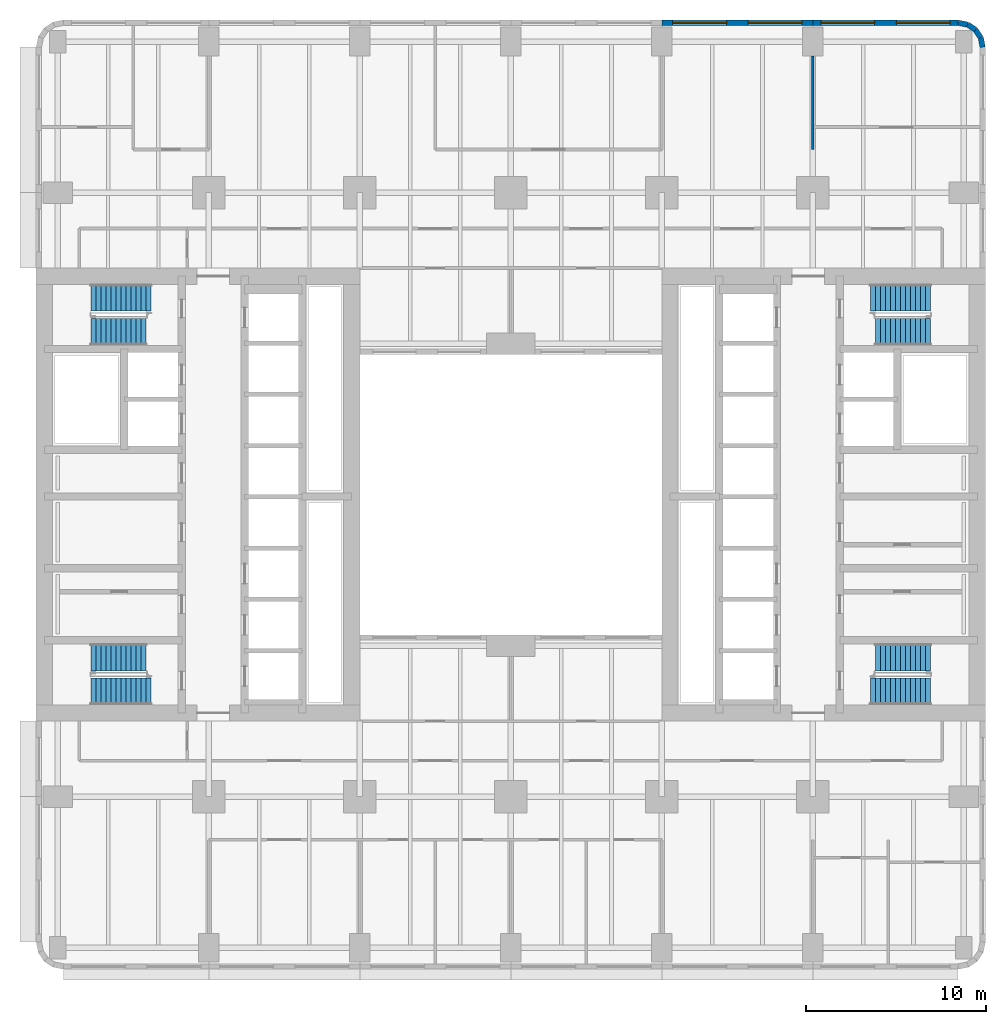
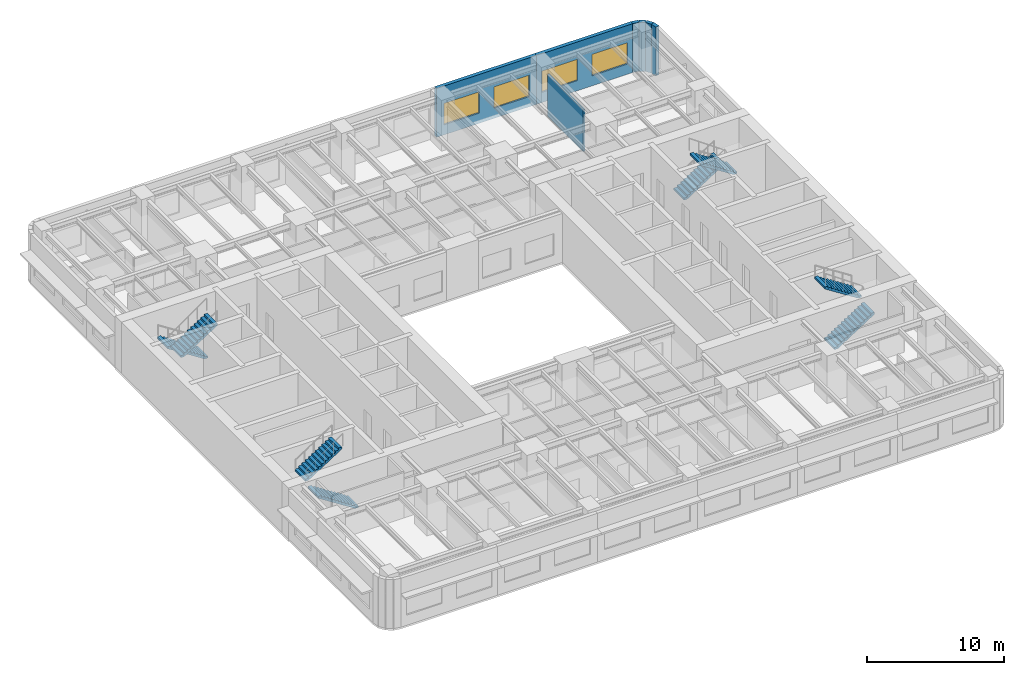
# One storey, part 8 of 14: 8 stair flights, 7 walls, 4 windows, 4 openings, 4 elements without a shape of their own.
"""IFC4 building model written with IfcOpenShell, lengths in metres."""

from ifc_helpers import new_model, si_unit, direction, frame, frame_2d, origin, place, context, subcontext, project, spatial, polyline, rectangle, outline, extrude, material, layer, layer_set, type_object, element, fill, aggregate, save


model = new_model("IFC4")

# Units and contexts
model_context = context("Model", 3, precision=1e-05, world=origin(), true_north=direction((0.0, 1.0)))
body_context = subcontext(model_context, "Body", "Model", "MODEL_VIEW")
ifc_project = project(units=[si_unit("LENGTHUNIT", "METRE"), si_unit("AREAUNIT", "SQUARE_METRE"), si_unit("VOLUMEUNIT", "CUBIC_METRE"), si_unit("PLANEANGLEUNIT", "RADIAN"), si_unit("MASSUNIT", "GRAM", prefix="KILO")], contexts=[model_context])

# Site, building, storey
site_placement = place(None, origin())
site = spatial("IfcSite", under=ifc_project, at=site_placement, CompositionType="ELEMENT")
building_placement = place(site_placement, origin())
building = spatial("IfcBuilding", under=site, at=building_placement, Name="Claustro Exchange Tower", CompositionType="ELEMENT")
storey_placement = place(building_placement, frame((0.0, 0.0, 54.89990234375)))
storey = spatial("IfcBuildingStorey", under=building, at=storey_placement, Name="L12", CompositionType="ELEMENT", Elevation=54.89990234375)

# Wall
ifc_material_1 = material(Name="Gypsum board on steel studs", Category="steel")
ifc_layer_1 = layer(ifc_material_1, 0.14990234375)
ifc_layer_set_1 = layer_set([ifc_layer_1], Name="Gypsum board on steel studs")
wall_type_1 = type_object("IfcWallType", Name="P1 150 plasterboard partition", PredefinedType="PARTITIONING", material=ifc_layer_set_1)
wall_1_placement = place(storey_placement, frame((42.0, 44.39990234375, 0.0), z_axis=(0.0, 0.0, 1.0), x_axis=(0.0, 1.0, 0.0)))
element("IfcWall", 1, at=wall_1_placement, inside=storey, type_object=wall_type_1, Name="Partition P1 L12", PredefinedType="PARTITIONING", context=body_context, shape_type="SweptSolid", body=[
    extrude(rectangle(XDim=5.201171875, YDim=0.14990234375, at=frame_2d((2.6005859375, 0.0))), origin(), (0.0, 0.0, 1.0), 3.739990234375),
])

# Wall, openings, windows
ifc_material_2 = material(Name="Concrete HA-40 (C40/50), precast, white cement, acid-etched", Category="concrete")
ifc_layer_2 = layer(ifc_material_2, 0.300048828125)
ifc_layer_set_2 = layer_set([ifc_layer_2], Name="Concrete HA-40 (C40/50), precast, white cement, acid-etched")
wall_type_2 = type_object("IfcWallType", Name="PC1 300 precast concrete pier panel", PredefinedType="SOLIDWALL", material=ifc_layer_set_2)
wall_2_placement = place(storey_placement, frame((33.60009765625, 51.449951171875, 0.0), z_axis=(0.0, 0.0, 1.0), x_axis=(1.0, 0.0, 0.0)))
wall_2 = element("IfcWall", 2, at=wall_2_placement, inside=storey, type_object=wall_type_2, Name="Precast pier panel PC1 L12", PredefinedType="SOLIDWALL", context=body_context, shape_type="SweptSolid", body=[
    extrude(rectangle(XDim=8.39990234375, YDim=0.300048828125, at=frame_2d((4.199951171875, 0.0))), origin(), (0.0, 0.0, 1.0), 4.340087890625),
])
opening_1_placement = place(wall_2_placement, frame((0.60009765625, 0.0, 0.89990234375)))
opening_1 = element("IfcOpeningElement", 3, at=opening_1_placement, cuts=wall_2, Name="Opening W1", PredefinedType="OPENING", context=body_context, shape_type="SweptSolid", body=[
    extrude(rectangle(XDim=3.0, YDim=1.89990234375, at=frame_2d((1.5, 0.949951171875))), frame((0.0, 0.159912109375, 0.0), z_axis=(0.0, -1.0, 0.0), x_axis=(1.0, 0.0, 0.0)), (0.0, 0.0, 1.0), 0.320068359375),
])
opening_2_placement = place(wall_2_placement, frame((4.800048828125, 0.0, 0.89990234375)))
opening_2 = element("IfcOpeningElement", 4, at=opening_2_placement, cuts=wall_2, Name="Opening W1", PredefinedType="OPENING", context=body_context, shape_type="SweptSolid", body=[
    extrude(rectangle(XDim=3.0, YDim=1.89990234375, at=frame_2d((1.5, 0.949951171875))), frame((0.0, 0.159912109375, 0.0), z_axis=(0.0, -1.0, 0.0), x_axis=(1.0, 0.0, 0.0)), (0.0, 0.0, 1.0), 0.320068359375),
])
ifc_material_3 = material(Name="Aluminium frame, clear double glazing", Category="aluminium")
window_type = type_object("IfcWindowType", Name="W1 3000 x 1900 window", PartitioningType="SINGLE_PANEL", PredefinedType="WINDOW", material=ifc_material_3)
window_1_placement = place(opening_1_placement, origin())
window_1 = element("IfcWindow", 5, at=window_1_placement, inside=storey, type_object=window_type, Name="Window W1 L12", OverallHeight=1.89990234375, OverallWidth=3.0, PartitioningType="SINGLE_PANEL", PredefinedType="WINDOW", context=body_context, shape_type="SweptSolid", body=[
    extrude(rectangle(XDim=3.0, YDim=1.89990234375, at=frame_2d((1.5, 0.949951171875))), frame((0.0, 0.030029296875, 0.0), z_axis=(0.0, -1.0, 0.0), x_axis=(1.0, 0.0, 0.0)), (0.0, 0.0, 1.0), 0.06005859375),
])
fill(opening_1, window_1)
window_2_placement = place(opening_2_placement, origin())
window_2 = element("IfcWindow", 6, at=window_2_placement, inside=storey, type_object=window_type, Name="Window W1 L12", OverallHeight=1.89990234375, OverallWidth=3.0, PartitioningType="SINGLE_PANEL", PredefinedType="WINDOW", context=body_context, shape_type="SweptSolid", body=[
    extrude(rectangle(XDim=3.0, YDim=1.89990234375, at=frame_2d((1.5, 0.949951171875))), frame((0.0, 0.030029296875, 0.0), z_axis=(0.0, -1.0, 0.0), x_axis=(1.0, 0.0, 0.0)), (0.0, 0.0, 1.0), 0.06005859375),
])
fill(opening_2, window_2)

wall_3_placement = place(storey_placement, frame((42.0, 51.449951171875, 0.0), z_axis=(0.0, 0.0, 1.0), x_axis=(1.0, 0.0, 0.0)))
wall_3 = element("IfcWall", 7, at=wall_3_placement, inside=storey, type_object=wall_type_2, Name="Precast pier panel PC1 L12", PredefinedType="SOLIDWALL", context=body_context, shape_type="SweptSolid", body=[
    extrude(rectangle(XDim=8.085205078125, YDim=0.300048828125, at=frame_2d((4.04248046875, 0.0))), origin(), (0.0, 0.0, 1.0), 4.340087890625),
])
opening_3_placement = place(wall_3_placement, frame((0.442626953125, 0.0, 0.89990234375)))
opening_3 = element("IfcOpeningElement", 8, at=opening_3_placement, cuts=wall_3, Name="Opening W1", PredefinedType="OPENING", context=body_context, shape_type="SweptSolid", body=[
    extrude(rectangle(XDim=3.0, YDim=1.89990234375, at=frame_2d((1.5, 0.949951171875))), frame((0.0, 0.159912109375, 0.0), z_axis=(0.0, -1.0, 0.0), x_axis=(1.0, 0.0, 0.0)), (0.0, 0.0, 1.0), 0.320068359375),
])
opening_4_placement = place(wall_3_placement, frame((4.642578125, 0.0, 0.89990234375)))
opening_4 = element("IfcOpeningElement", 9, at=opening_4_placement, cuts=wall_3, Name="Opening W1", PredefinedType="OPENING", context=body_context, shape_type="SweptSolid", body=[
    extrude(rectangle(XDim=3.0, YDim=1.89990234375, at=frame_2d((1.5, 0.949951171875))), frame((0.0, 0.159912109375, 0.0), z_axis=(0.0, -1.0, 0.0), x_axis=(1.0, 0.0, 0.0)), (0.0, 0.0, 1.0), 0.320068359375),
])
window_3_placement = place(opening_3_placement, origin())
window_3 = element("IfcWindow", 10, at=window_3_placement, inside=storey, type_object=window_type, Name="Window W1 L12", OverallHeight=1.89990234375, OverallWidth=3.0, PartitioningType="SINGLE_PANEL", PredefinedType="WINDOW", context=body_context, shape_type="SweptSolid", body=[
    extrude(rectangle(XDim=3.0, YDim=1.89990234375, at=frame_2d((1.5, 0.949951171875))), frame((0.0, 0.030029296875, 0.0), z_axis=(0.0, -1.0, 0.0), x_axis=(1.0, 0.0, 0.0)), (0.0, 0.0, 1.0), 0.06005859375),
])
fill(opening_3, window_3)
window_4_placement = place(opening_4_placement, origin())
window_4 = element("IfcWindow", 11, at=window_4_placement, inside=storey, type_object=window_type, Name="Window W1 L12", OverallHeight=1.89990234375, OverallWidth=3.0, PartitioningType="SINGLE_PANEL", PredefinedType="WINDOW", context=body_context, shape_type="SweptSolid", body=[
    extrude(rectangle(XDim=3.0, YDim=1.89990234375, at=frame_2d((1.5, 0.949951171875))), frame((0.0, 0.030029296875, 0.0), z_axis=(0.0, -1.0, 0.0), x_axis=(1.0, 0.0, 0.0)), (0.0, 0.0, 1.0), 0.06005859375),
])
fill(opening_4, window_4)

# Walls
wall_4_placement = place(storey_placement, frame((50.085205078125, 51.449951171875, 0.0), z_axis=(0.0, 0.0, 1.0), x_axis=(0.980788534345, -0.195073962632, 0.0)))
element("IfcWall", 12, at=wall_4_placement, inside=storey, type_object=wall_type_2, Name="Precast pier panel PC1 L12", PredefinedType="SOLIDWALL", context=body_context, shape_type="SweptSolid", body=[
    extrude(rectangle(XDim=0.540771484375, YDim=0.300048828125, at=frame_2d((0.2705078125, 0.0))), origin(), (0.0, 0.0, 1.0), 4.340087890625),
])
for number, where, z_axis, x_axis, name in (
    (13, (50.615478515625, 51.344482421875, 0.0), (0.0, 0.0, 1.0), (0.831478144188, -0.555557463938, 0.0), "Precast pier panel PC1 L12"),
    (14, (51.052490234375, 51.052490234375, 0.0), (0.0, 0.0, 1.0), (0.555557463938, -0.831478144188, 0.0), "Precast pier panel PC1 L12"),
):
    element("IfcWall", number, at=place(storey_placement, frame(where, z_axis=z_axis, x_axis=x_axis)), inside=storey, type_object=wall_type_2, Name=name, PredefinedType="SOLIDWALL", context=body_context, shape_type="SweptSolid", body=[
        extrude(rectangle(XDim=0.525634765625, YDim=0.300048828125, at=frame_2d((0.2626953125, 0.0))), origin(), (0.0, 0.0, 1.0), 4.340087890625),
    ])
wall_5_placement = place(storey_placement, frame((51.344482421875, 50.615478515625, 0.0), z_axis=(0.0, 0.0, 1.0), x_axis=(0.195073962632, -0.980788534345, 0.0)))
element("IfcWall", 15, at=wall_5_placement, inside=storey, type_object=wall_type_2, Name="Precast pier panel PC1 L12", PredefinedType="SOLIDWALL", context=body_context, shape_type="SweptSolid", body=[
    extrude(rectangle(XDim=0.540771484375, YDim=0.300048828125, at=frame_2d((0.2705078125, 0.0))), origin(), (0.0, 0.0, 1.0), 4.340087890625),
])

# Stair, stair flight
ifc_material_4 = material(Name="Concrete HA-30 (C30/37), precast", Category="concrete")
stair_type = type_object("IfcStairType", Name="ST2 half-turn stair, 25 risers of 180", PredefinedType="HALF_TURN_STAIR", material=ifc_material_4)
stair_1_placement = place(storey_placement, origin())
stair_1 = element("IfcStair", 16, at=stair_1_placement, inside=storey, type_object=stair_type, Name="Stair STWA L12", PredefinedType="HALF_TURN_STAIR")
ifc_material_5 = material(Name="Concrete HA-30 (C30/37), precast", Category="concrete")
stair_flight_type_1 = type_object("IfcStairFlightType", Name="SF12B straight flight, 12 risers of 180, 1500 wide", PredefinedType="STRAIGHT", material=ifc_material_5)
stair_flight_1_placement = place(storey_placement, frame((1.840087890625, 16.14990234375, 2.340087890625), z_axis=(0.0, 0.0, 1.0), x_axis=(1.0, 0.0, 0.0)))
stair_flight_1 = element("IfcStairFlight", 17, at=stair_flight_1_placement, type_object=stair_flight_type_1, Name="STWA flight 2", NumberOfRisers=12, NumberOfTreads=11, PredefinedType="STRAIGHT", RiserHeight=0.18, TreadLength=0.28, context=body_context, shape_type="SweptSolid", body=[
    extrude(outline(polyline([(0.0, 0.0), (0.0, 0.179931640625), (0.280029296875, 0.179931640625), (0.280029296875, 0.360107421875), (0.56005859375, 0.360107421875), (0.56005859375, 0.5400390625), (0.840087890625, 0.5400390625), (0.840087890625, 0.719970703125), (1.1201171875, 0.719970703125), (1.1201171875, 0.89990234375), (1.39990234375, 0.89990234375), (1.39990234375, 1.080078125), (1.679931640625, 1.080078125), (1.679931640625, 1.260009765625), (1.9599609375, 1.260009765625), (1.9599609375, 1.43994140625), (2.239990234375, 1.43994140625), (2.239990234375, 1.6201171875), (2.52001953125, 1.6201171875), (2.52001953125, 1.800048828125), (2.800048828125, 1.800048828125), (2.800048828125, 1.97998046875), (3.080078125, 1.97998046875), (3.080078125, 2.159912109375), (3.080078125, 1.8017578125), (0.277099609375, 0.0), (0.0, 0.0)])), frame((0.0, 0.75, 0.0), z_axis=(0.0, -1.0, 0.0), x_axis=(1.0, 0.0, 0.0)), (0.0, 0.0, 1.0), 1.5),
])

stair_2_placement = place(storey_placement, origin())
stair_2 = element("IfcStair", 18, at=stair_2_placement, inside=storey, type_object=stair_type, Name="Stair STWB L12", PredefinedType="HALF_TURN_STAIR")
stair_flight_2_placement = place(storey_placement, frame((1.840087890625, 34.25, 2.340087890625), z_axis=(0.0, 0.0, 1.0), x_axis=(1.0, 0.0, 0.0)))
stair_flight_2 = element("IfcStairFlight", 19, at=stair_flight_2_placement, type_object=stair_flight_type_1, Name="STWB flight 2", NumberOfRisers=12, NumberOfTreads=11, PredefinedType="STRAIGHT", RiserHeight=0.18, TreadLength=0.28, context=body_context, shape_type="SweptSolid", body=[
    extrude(outline(polyline([(0.0, 0.0), (0.0, 0.179931640625), (0.280029296875, 0.179931640625), (0.280029296875, 0.360107421875), (0.56005859375, 0.360107421875), (0.56005859375, 0.5400390625), (0.840087890625, 0.5400390625), (0.840087890625, 0.719970703125), (1.1201171875, 0.719970703125), (1.1201171875, 0.89990234375), (1.39990234375, 0.89990234375), (1.39990234375, 1.080078125), (1.679931640625, 1.080078125), (1.679931640625, 1.260009765625), (1.9599609375, 1.260009765625), (1.9599609375, 1.43994140625), (2.239990234375, 1.43994140625), (2.239990234375, 1.6201171875), (2.52001953125, 1.6201171875), (2.52001953125, 1.800048828125), (2.800048828125, 1.800048828125), (2.800048828125, 1.97998046875), (3.080078125, 1.97998046875), (3.080078125, 2.159912109375), (3.080078125, 1.8017578125), (0.277099609375, 0.0), (0.0, 0.0)])), frame((0.0, 0.75, 0.0), z_axis=(0.0, -1.0, 0.0), x_axis=(1.0, 0.0, 0.0)), (0.0, 0.0, 1.0), 1.5),
])

stair_3_placement = place(storey_placement, origin())
stair_3 = element("IfcStair", 20, at=stair_3_placement, inside=storey, type_object=stair_type, Name="Stair STEA L12", PredefinedType="HALF_TURN_STAIR")
stair_flight_3_placement = place(storey_placement, frame((48.56005859375, 16.14990234375, 2.340087890625), z_axis=(0.0, 0.0, 1.0), x_axis=(-1.0, 0.0, 0.0)))
stair_flight_3 = element("IfcStairFlight", 21, at=stair_flight_3_placement, type_object=stair_flight_type_1, Name="STEA flight 2", NumberOfRisers=12, NumberOfTreads=11, PredefinedType="STRAIGHT", RiserHeight=0.18, TreadLength=0.28, context=body_context, shape_type="SweptSolid", body=[
    extrude(outline(polyline([(0.0, 0.0), (0.0, 0.179931640625), (0.280029296875, 0.179931640625), (0.280029296875, 0.360107421875), (0.56005859375, 0.360107421875), (0.56005859375, 0.5400390625), (0.840087890625, 0.5400390625), (0.840087890625, 0.719970703125), (1.1201171875, 0.719970703125), (1.1201171875, 0.89990234375), (1.39990234375, 0.89990234375), (1.39990234375, 1.080078125), (1.679931640625, 1.080078125), (1.679931640625, 1.260009765625), (1.9599609375, 1.260009765625), (1.9599609375, 1.43994140625), (2.239990234375, 1.43994140625), (2.239990234375, 1.6201171875), (2.52001953125, 1.6201171875), (2.52001953125, 1.800048828125), (2.800048828125, 1.800048828125), (2.800048828125, 1.97998046875), (3.080078125, 1.97998046875), (3.080078125, 2.159912109375), (3.080078125, 1.8017578125), (0.277099609375, 0.0), (0.0, 0.0)])), frame((0.0, 0.75, 0.0), z_axis=(0.0, -1.0, 0.0), x_axis=(1.0, 0.0, 0.0)), (0.0, 0.0, 1.0), 1.5),
])

stair_4_placement = place(storey_placement, origin())
stair_4 = element("IfcStair", 22, at=stair_4_placement, inside=storey, type_object=stair_type, Name="Stair STEB L12", PredefinedType="HALF_TURN_STAIR")
stair_flight_4_placement = place(storey_placement, frame((48.56005859375, 34.25, 2.340087890625), z_axis=(0.0, 0.0, 1.0), x_axis=(-1.0, 0.0, 0.0)))
stair_flight_4 = element("IfcStairFlight", 23, at=stair_flight_4_placement, type_object=stair_flight_type_1, Name="STEB flight 2", NumberOfRisers=12, NumberOfTreads=11, PredefinedType="STRAIGHT", RiserHeight=0.18, TreadLength=0.28, context=body_context, shape_type="SweptSolid", body=[
    extrude(outline(polyline([(0.0, 0.0), (0.0, 0.179931640625), (0.280029296875, 0.179931640625), (0.280029296875, 0.360107421875), (0.56005859375, 0.360107421875), (0.56005859375, 0.5400390625), (0.840087890625, 0.5400390625), (0.840087890625, 0.719970703125), (1.1201171875, 0.719970703125), (1.1201171875, 0.89990234375), (1.39990234375, 0.89990234375), (1.39990234375, 1.080078125), (1.679931640625, 1.080078125), (1.679931640625, 1.260009765625), (1.9599609375, 1.260009765625), (1.9599609375, 1.43994140625), (2.239990234375, 1.43994140625), (2.239990234375, 1.6201171875), (2.52001953125, 1.6201171875), (2.52001953125, 1.800048828125), (2.800048828125, 1.800048828125), (2.800048828125, 1.97998046875), (3.080078125, 1.97998046875), (3.080078125, 2.159912109375), (3.080078125, 1.8017578125), (0.277099609375, 0.0), (0.0, 0.0)])), frame((0.0, 0.75, 0.0), z_axis=(0.0, -1.0, 0.0), x_axis=(1.0, 0.0, 0.0)), (0.0, 0.0, 1.0), 1.5),
])

# Stair flight
ifc_material_6 = material(Name="Concrete HA-30 (C30/37), precast", Category="concrete")
stair_flight_type_2 = type_object("IfcStairFlightType", Name="SF13 straight flight, 13 risers of 180, 1500 wide", PredefinedType="STRAIGHT", material=ifc_material_6)
stair_flight_5_placement = place(storey_placement, frame((5.199951171875, 14.25, 0.0), z_axis=(0.0, 0.0, 1.0), x_axis=(-1.0, 0.0, 0.0)))
stair_flight_5 = element("IfcStairFlight", 24, at=stair_flight_5_placement, type_object=stair_flight_type_2, Name="STWA flight 1", NumberOfRisers=13, NumberOfTreads=12, PredefinedType="STRAIGHT", RiserHeight=0.18, TreadLength=0.28, context=body_context, shape_type="SweptSolid", body=[
    extrude(outline(polyline([(0.0, 0.0), (0.0, 0.179931640625), (0.280029296875, 0.179931640625), (0.280029296875, 0.360107421875), (0.56005859375, 0.360107421875), (0.56005859375, 0.5400390625), (0.840087890625, 0.5400390625), (0.840087890625, 0.719970703125), (1.1201171875, 0.719970703125), (1.1201171875, 0.89990234375), (1.39990234375, 0.89990234375), (1.39990234375, 1.080078125), (1.679931640625, 1.080078125), (1.679931640625, 1.260009765625), (1.9599609375, 1.260009765625), (1.9599609375, 1.43994140625), (2.239990234375, 1.43994140625), (2.239990234375, 1.6201171875), (2.52001953125, 1.6201171875), (2.52001953125, 1.800048828125), (2.800048828125, 1.800048828125), (2.800048828125, 1.97998046875), (3.080078125, 1.97998046875), (3.080078125, 2.159912109375), (3.360107421875, 2.159912109375), (3.360107421875, 2.340087890625), (3.360107421875, 1.981689453125), (0.277099609375, 0.0), (0.0, 0.0)])), frame((0.0, 0.75, 0.0), z_axis=(0.0, -1.0, 0.0), x_axis=(1.0, 0.0, 0.0)), (0.0, 0.0, 1.0), 1.5),
])

aggregate(stair_1, [stair_flight_5, stair_flight_1])

stair_flight_6_placement = place(storey_placement, frame((5.199951171875, 36.14990234375, 0.0), z_axis=(0.0, 0.0, 1.0), x_axis=(-1.0, 0.0, 0.0)))
stair_flight_6 = element("IfcStairFlight", 25, at=stair_flight_6_placement, type_object=stair_flight_type_2, Name="STWB flight 1", NumberOfRisers=13, NumberOfTreads=12, PredefinedType="STRAIGHT", RiserHeight=0.18, TreadLength=0.28, context=body_context, shape_type="SweptSolid", body=[
    extrude(outline(polyline([(0.0, 0.0), (0.0, 0.179931640625), (0.280029296875, 0.179931640625), (0.280029296875, 0.360107421875), (0.56005859375, 0.360107421875), (0.56005859375, 0.5400390625), (0.840087890625, 0.5400390625), (0.840087890625, 0.719970703125), (1.1201171875, 0.719970703125), (1.1201171875, 0.89990234375), (1.39990234375, 0.89990234375), (1.39990234375, 1.080078125), (1.679931640625, 1.080078125), (1.679931640625, 1.260009765625), (1.9599609375, 1.260009765625), (1.9599609375, 1.43994140625), (2.239990234375, 1.43994140625), (2.239990234375, 1.6201171875), (2.52001953125, 1.6201171875), (2.52001953125, 1.800048828125), (2.800048828125, 1.800048828125), (2.800048828125, 1.97998046875), (3.080078125, 1.97998046875), (3.080078125, 2.159912109375), (3.360107421875, 2.159912109375), (3.360107421875, 2.340087890625), (3.360107421875, 1.981689453125), (0.277099609375, 0.0), (0.0, 0.0)])), frame((0.0, 0.75, 0.0), z_axis=(0.0, -1.0, 0.0), x_axis=(1.0, 0.0, 0.0)), (0.0, 0.0, 1.0), 1.5),
])

aggregate(stair_2, [stair_flight_6, stair_flight_2])

stair_flight_7_placement = place(storey_placement, frame((45.199951171875, 14.25, 0.0), z_axis=(0.0, 0.0, 1.0), x_axis=(1.0, 0.0, 0.0)))
stair_flight_7 = element("IfcStairFlight", 26, at=stair_flight_7_placement, type_object=stair_flight_type_2, Name="STEA flight 1", NumberOfRisers=13, NumberOfTreads=12, PredefinedType="STRAIGHT", RiserHeight=0.18, TreadLength=0.28, context=body_context, shape_type="SweptSolid", body=[
    extrude(outline(polyline([(0.0, 0.0), (0.0, 0.179931640625), (0.280029296875, 0.179931640625), (0.280029296875, 0.360107421875), (0.56005859375, 0.360107421875), (0.56005859375, 0.5400390625), (0.840087890625, 0.5400390625), (0.840087890625, 0.719970703125), (1.1201171875, 0.719970703125), (1.1201171875, 0.89990234375), (1.39990234375, 0.89990234375), (1.39990234375, 1.080078125), (1.679931640625, 1.080078125), (1.679931640625, 1.260009765625), (1.9599609375, 1.260009765625), (1.9599609375, 1.43994140625), (2.239990234375, 1.43994140625), (2.239990234375, 1.6201171875), (2.52001953125, 1.6201171875), (2.52001953125, 1.800048828125), (2.800048828125, 1.800048828125), (2.800048828125, 1.97998046875), (3.080078125, 1.97998046875), (3.080078125, 2.159912109375), (3.360107421875, 2.159912109375), (3.360107421875, 2.340087890625), (3.360107421875, 1.981689453125), (0.277099609375, 0.0), (0.0, 0.0)])), frame((0.0, 0.75, 0.0), z_axis=(0.0, -1.0, 0.0), x_axis=(1.0, 0.0, 0.0)), (0.0, 0.0, 1.0), 1.5),
])

aggregate(stair_3, [stair_flight_7, stair_flight_3])

stair_flight_8_placement = place(storey_placement, frame((45.199951171875, 36.14990234375, 0.0), z_axis=(0.0, 0.0, 1.0), x_axis=(1.0, 0.0, 0.0)))
stair_flight_8 = element("IfcStairFlight", 27, at=stair_flight_8_placement, type_object=stair_flight_type_2, Name="STEB flight 1", NumberOfRisers=13, NumberOfTreads=12, PredefinedType="STRAIGHT", RiserHeight=0.18, TreadLength=0.28, context=body_context, shape_type="SweptSolid", body=[
    extrude(outline(polyline([(0.0, 0.0), (0.0, 0.179931640625), (0.280029296875, 0.179931640625), (0.280029296875, 0.360107421875), (0.56005859375, 0.360107421875), (0.56005859375, 0.5400390625), (0.840087890625, 0.5400390625), (0.840087890625, 0.719970703125), (1.1201171875, 0.719970703125), (1.1201171875, 0.89990234375), (1.39990234375, 0.89990234375), (1.39990234375, 1.080078125), (1.679931640625, 1.080078125), (1.679931640625, 1.260009765625), (1.9599609375, 1.260009765625), (1.9599609375, 1.43994140625), (2.239990234375, 1.43994140625), (2.239990234375, 1.6201171875), (2.52001953125, 1.6201171875), (2.52001953125, 1.800048828125), (2.800048828125, 1.800048828125), (2.800048828125, 1.97998046875), (3.080078125, 1.97998046875), (3.080078125, 2.159912109375), (3.360107421875, 2.159912109375), (3.360107421875, 2.340087890625), (3.360107421875, 1.981689453125), (0.277099609375, 0.0), (0.0, 0.0)])), frame((0.0, 0.75, 0.0), z_axis=(0.0, -1.0, 0.0), x_axis=(1.0, 0.0, 0.0)), (0.0, 0.0, 1.0), 1.5),
])

aggregate(stair_4, [stair_flight_8, stair_flight_4])

save(model, "model.ifc")
